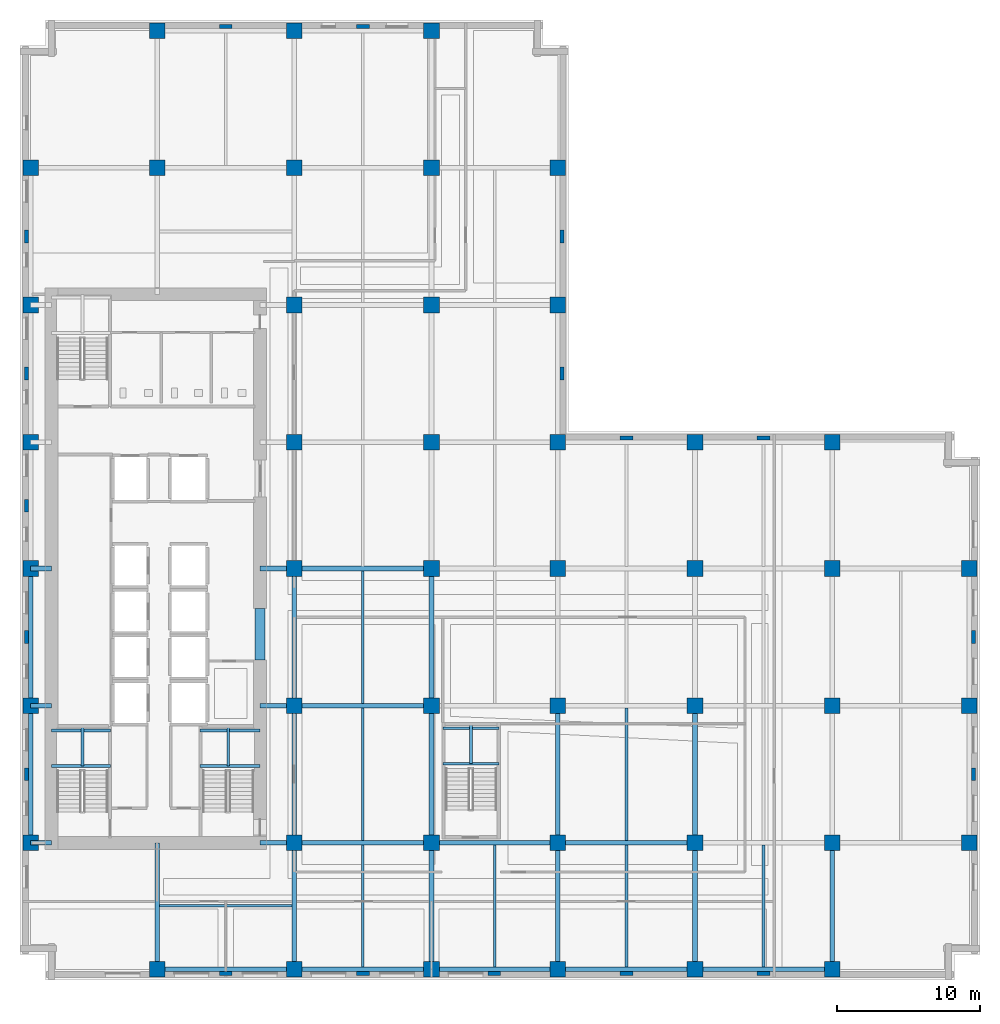
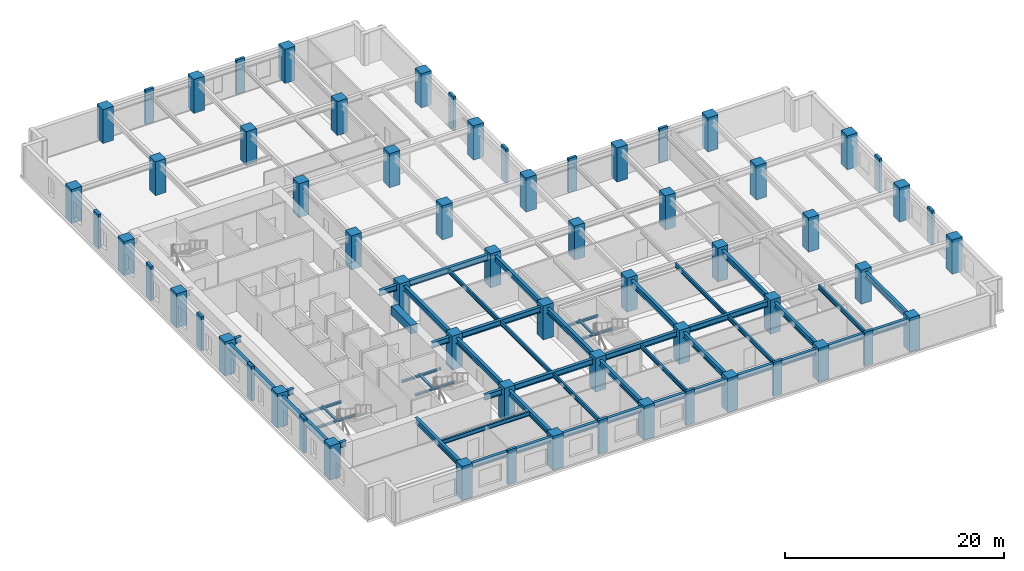
# One storey, part 1 of 15: 63 columns, 48 beams.
"""IFC4 building model written with IfcOpenShell, lengths in metres."""

import ifcopenshell
import ifcopenshell.guid

model = None  # the IFC model being written
_history = None  # IfcOwnerHistory: only IFC2X3 demands one
_inside = {}  # id of a spatial element -> (the spatial element, [elements in it])
_under = {}  # id of a project, library or spatial element -> (it, [spatial elements below it])
_declared = {}  # id of a project -> (the project, [libraries it declares])
_typed = {}  # id of a type object -> (the type object, [elements of that type])
_made_of = {}  # id of a material, layer set ... -> (it, [elements and type objects made of it])


def new_model(schema):
    """Start an empty IFC model of exactly this schema.

    Asked for "IFC4X3", IfcOpenShell would pick the latest addendum, in which some entities
    have other attributes; the version numbers below select the first issue.
    IFC2X3 requires an IfcOwnerHistory on every rooted entity: one is made here for all.
    """
    global model, _history
    if schema == "IFC4X3":
        model = ifcopenshell.file(schema_version=(4, 3, 0, 0))
    else:
        model = ifcopenshell.file(schema=schema)
    _inside.clear()
    _under.clear()
    _declared.clear()
    _typed.clear()
    _made_of.clear()
    _history = None
    if model.schema == "IFC2X3":
        org = make("IfcOrganization", Name="unknown")
        user = make(
            "IfcPersonAndOrganization",
            ThePerson=make("IfcPerson", FamilyName="unknown"),
            TheOrganization=org,
        )
        app = make(
            "IfcApplication",
            ApplicationDeveloper=org,
            Version="unknown",
            ApplicationFullName="unknown",
            ApplicationIdentifier="unknown",
        )
        _history = make(
            "IfcOwnerHistory",
            OwningUser=user,
            OwningApplication=app,
            ChangeAction="ADDED",
            CreationDate=0,
        )
    return model


def make(cls, **values):
    """One entity of the class cls with the attributes given. An attribute that is None is left unset."""
    return model.create_entity(
        cls, **{name: value for name, value in values.items() if value is not None}
    )


def rooted(cls, **values):
    """An entity with a GlobalId (a new one), such as an element, a storey or a relation."""
    return make(cls, GlobalId=ifcopenshell.guid.new(), OwnerHistory=_history, **values)


def si_unit(unit_type, name, prefix=None):
    """IfcSIUnit, for example si_unit("LENGTHUNIT", "METRE", prefix="MILLI")."""
    return make("IfcSIUnit", UnitType=unit_type, Prefix=prefix, Name=name)


def assignment(units):
    """IfcUnitAssignment: the units of a project."""
    return None if units is None else make("IfcUnitAssignment", Units=units)


def point(xyz):
    """IfcCartesianPoint."""
    return None if xyz is None else make("IfcCartesianPoint", Coordinates=xyz)


def direction(xyz):
    """IfcDirection."""
    return None if xyz is None else make("IfcDirection", DirectionRatios=xyz)


def frame(location, z_axis=None, x_axis=None):
    """IfcAxis2Placement3D, a coordinate frame: its origin and axes. An axis left out is left unset."""
    return make(
        "IfcAxis2Placement3D",
        Location=point(location),
        Axis=direction(z_axis),
        RefDirection=direction(x_axis),
    )


def frame_2d(location, x_axis=None):
    """IfcAxis2Placement2D, a coordinate frame in the plane: its origin and x axis."""
    return make(
        "IfcAxis2Placement2D", Location=point(location), RefDirection=direction(x_axis)
    )


def origin():
    """The frame at (0, 0, 0) with its axes left unset."""
    return frame((0.0, 0.0, 0.0))


def origin_2d():
    """The frame at (0, 0) in the plane with its x axis left unset."""
    return frame_2d((0.0, 0.0))


def place(relative_to, where):
    """IfcLocalPlacement: puts the frame where relative to a parent placement (None: the world)."""
    return make(
        "IfcLocalPlacement", PlacementRelTo=relative_to, RelativePlacement=where
    )


def context(
    kind, dimensions, precision=None, world=None, true_north=None, identifier=None
):
    """IfcGeometricRepresentationContext, for example the 3D "Model" context."""
    return make(
        "IfcGeometricRepresentationContext",
        ContextIdentifier=identifier,
        ContextType=kind,
        CoordinateSpaceDimension=dimensions,
        Precision=precision,
        WorldCoordinateSystem=world,
        TrueNorth=true_north,
    )


def subcontext(parent, identifier, kind, view, scale=None):
    """IfcGeometricRepresentationSubContext, for example "Body" below "Model"."""
    return make(
        "IfcGeometricRepresentationSubContext",
        ContextIdentifier=identifier,
        ContextType=kind,
        ParentContext=parent,
        TargetScale=scale,
        TargetView=view,
    )


def project(units=None, contexts=None):
    """IfcProject with its units and contexts."""
    return rooted(
        "IfcProject",
        Name="project",
        RepresentationContexts=contexts,
        UnitsInContext=assignment(units),
    )


def spatial(cls, under=None, at=None, **own):
    """A site, building, storey or space (cls), placed at a placement, below another one or the project."""
    s = rooted(cls, ObjectPlacement=at, **own)
    if under is not None:
        _under.setdefault(under.id(), (under, []))[1].append(s)
    return s


def profile(cls, at=None, kind="AREA", **sizes):
    """A parametric profile (cls). Its sizes go by their IFC names, for example OverallWidth=200.0."""
    return make(cls, ProfileType=kind, Position=at, **sizes)


def rectangle(**sizes):
    """IfcRectangleProfileDef."""
    return profile("IfcRectangleProfileDef", **sizes)


def i_section(**sizes):
    """IfcIShapeProfileDef."""
    return profile("IfcIShapeProfileDef", **sizes)


def extrude(swept, where, along, depth):
    """IfcExtrudedAreaSolid: the profile swept, set in the frame where, extruded along a direction by depth."""
    return make(
        "IfcExtrudedAreaSolid",
        SweptArea=swept,
        Position=where,
        ExtrudedDirection=direction(along),
        Depth=depth,
    )


def shape(context_of_items, identifier, shape_type, items):
    """IfcShapeRepresentation: the items that make up one representation, for example the "Body"."""
    return make(
        "IfcShapeRepresentation",
        ContextOfItems=context_of_items,
        RepresentationIdentifier=identifier,
        RepresentationType=shape_type,
        Items=items,
    )


def material(Name=None, Category=None):
    """IfcMaterial."""
    return make("IfcMaterial", Name=Name, Category=Category)


def material_profile(
    of_material, cross_section, Name=None, Category=None, Priority=None
):
    """IfcMaterialProfile: a cross section and its material."""
    return make(
        "IfcMaterialProfile",
        Name=Name,
        Material=of_material,
        Profile=cross_section,
        Priority=Priority,
        Category=Category,
    )


def profile_set(profiles, Name=None, composite=None):
    """IfcMaterialProfileSet."""
    return make(
        "IfcMaterialProfileSet",
        Name=Name,
        MaterialProfiles=profiles,
        CompositeProfile=composite,
    )


def made_of(thing, what):
    """Note that an element or type object is made of a material, layer set ...; save() writes the relation."""
    if what is not None:
        _made_of.setdefault(what.id(), (what, []))[1].append(thing)
    return thing


def type_object(cls, material=None, **own):
    """A type object (cls), such as IfcWallType, which elements share."""
    return made_of(rooted(cls, **own), material)


def element(
    cls,
    number,
    at=None,
    inside=None,
    cuts=None,
    type_object=None,
    material=None,
    context=None,
    identifier="Body",
    shape_type=None,
    held_by="IfcProductDefinitionShape",
    body=None,
    shapes=None,
    **own,
):
    """One element of the class cls, such as IfcWall. Its Tag is "e" and its number.

    at: its placement. inside: the storey or other place that contains it. cuts: it is an
    opening in that element (IfcRelVoidsElement). A single representation is given by context,
    identifier, shape_type and body (its items); several are given by shapes. held_by: the class
    of the entity that holds the representations. save() writes the other relations.
    """
    e = rooted(cls, Tag="e%d" % number, ObjectPlacement=at, **own)
    if body is not None:
        shapes = [shape(context, identifier, shape_type, body)]
    if shapes is not None:
        e.Representation = make(held_by, Representations=shapes)
    if inside is not None:
        _inside.setdefault(inside.id(), (inside, []))[1].append(e)
    if cuts is not None:
        rooted(
            "IfcRelVoidsElement", RelatingBuildingElement=cuts, RelatedOpeningElement=e
        )
    if type_object is not None:
        _typed.setdefault(type_object.id(), (type_object, []))[1].append(e)
    return made_of(e, material)


def aggregate(whole, parts):
    """IfcRelAggregates: a whole, such as a stair, and the parts it consists of."""
    return rooted("IfcRelAggregates", RelatingObject=whole, RelatedObjects=parts)


def save(model, path):
    """Write the relations noted so far, then the file.

    IfcRelAggregates (storeys below a building ...), IfcRelContainedInSpatialStructure (elements
    in a storey), IfcRelDefinesByType, IfcRelAssociatesMaterial and IfcRelDeclares: one each for
    every whole, place, type object, material and project.
    """
    for whole, parts in _under.values():
        aggregate(whole, parts)
    for where, things in _inside.values():
        rooted(
            "IfcRelContainedInSpatialStructure",
            RelatedElements=things,
            RelatingStructure=where,
        )
    for kind, things in _typed.values():
        rooted("IfcRelDefinesByType", RelatedObjects=things, RelatingType=kind)
    for what, things in _made_of.values():
        rooted("IfcRelAssociatesMaterial", RelatedObjects=things, RelatingMaterial=what)
    for by, libraries in _declared.values():
        rooted("IfcRelDeclares", RelatingContext=by, RelatedDefinitions=libraries)
    model.write(path)


model = new_model("IFC4")

# Units and contexts
model_context = context("Model", 3, precision=1e-05, world=origin(), true_north=direction((0.0, 1.0)))
body_context = subcontext(model_context, "Body", "Model", "MODEL_VIEW")
ifc_project = project(units=[si_unit("LENGTHUNIT", "METRE"), si_unit("AREAUNIT", "SQUARE_METRE"), si_unit("VOLUMEUNIT", "CUBIC_METRE"), si_unit("PLANEANGLEUNIT", "RADIAN"), si_unit("MASSUNIT", "GRAM", prefix="KILO")], contexts=[model_context])

# Site, building, storey
site_placement = place(None, origin())
site = spatial("IfcSite", under=ifc_project, at=site_placement, CompositionType="ELEMENT")
building_placement = place(site_placement, origin())
building = spatial("IfcBuilding", under=site, at=building_placement, Name="Norrvale University Quadrangle", CompositionType="ELEMENT")
storey_placement = place(building_placement, frame((0.0, 0.0, 92.60009765625)))
storey = spatial("IfcBuildingStorey", under=building, at=storey_placement, Name="L23", CompositionType="ELEMENT", Elevation=92.60009765625)

# Columns
ifc_material_1 = material(Name="Buff Brick Concrete C60/75", Category="concrete")
ifc_material_profile_1 = material_profile(ifc_material_1, rectangle(XDim=0.89990234375, YDim=0.280029296875, at=origin_2d()), Name="Buff Brick Concrete C60/75")
ifc_profile_set_1 = profile_set([ifc_material_profile_1], Name="Buff Brick Concrete C60/75")
column_type_1 = type_object("IfcColumnType", Name="Column Buff Pier 900x280", PredefinedType="PILASTER", material=ifc_profile_set_1)
for number, where, z_axis, x_axis, name in (
    (1, (0.449951171875, 14.39990234375, 0.0), (0.0, 0.0, 1.0), (0.0, 1.0, 0.0), "Exterior Brick Facade Pilaster L23-01"),
    (2, (0.449951171875, 24.0, 0.0), (0.0, 0.0, 1.0), (0.0, 1.0, 0.0), "Exterior Brick Facade Pilaster L23-02"),
    (3, (0.449951171875, 33.199951171875, 0.0), (0.0, 0.0, 1.0), (0.0, 1.0, 0.0), "Exterior Brick Facade Pilaster L23-03"),
    (4, (0.449951171875, 42.449951171875, 0.0), (0.0, 0.0, 1.0), (0.0, 1.0, 0.0), "Exterior Brick Facade Pilaster L23-04"),
    (5, (0.449951171875, 52.050048828125, 0.0), (0.0, 0.0, 1.0), (0.0, 1.0, 0.0), "Exterior Brick Facade Pilaster L23-05"),
    (6, (14.39990234375, 0.449951171875, 0.0), (0.0, 0.0, 1.0), (1.0, 0.0, 0.0), "Exterior Brick Facade Pilaster L23-06"),
    (7, (24.0, 0.449951171875, 0.0), (0.0, 0.0, 1.0), (1.0, 0.0, 0.0), "Exterior Brick Facade Pilaster L23-07"),
    (8, (33.199951171875, 0.449951171875, 0.0), (0.0, 0.0, 1.0), (1.0, 0.0, 0.0), "Exterior Brick Facade Pilaster L23-08"),
    (9, (42.449951171875, 0.449951171875, 0.0), (0.0, 0.0, 1.0), (1.0, 0.0, 0.0), "Exterior Brick Facade Pilaster L23-09"),
    (10, (52.050048828125, 0.449951171875, 0.0), (0.0, 0.0, 1.0), (1.0, 0.0, 0.0), "Exterior Brick Facade Pilaster L23-10"),
    (11, (66.75, 14.39990234375, 0.0), (0.0, 0.0, 1.0), (0.0, 1.0, 0.0), "Exterior Brick Facade Pilaster L23-11"),
    (12, (66.75, 24.0, 0.0), (0.0, 0.0, 1.0), (0.0, 1.0, 0.0), "Exterior Brick Facade Pilaster L23-12"),
    (13, (14.39990234375, 66.75, 0.0), (0.0, 0.0, 1.0), (1.0, 0.0, 0.0), "Exterior Brick Facade Pilaster L23-13"),
    (14, (24.0, 66.75, 0.0), (0.0, 0.0, 1.0), (1.0, 0.0, 0.0), "Exterior Brick Facade Pilaster L23-14"),
    (15, (37.949951171875, 42.449951171875, 0.0), (0.0, 0.0, 1.0), (0.0, 1.0, 0.0), "Exterior Brick Facade Pilaster L23-15"),
    (16, (37.949951171875, 52.050048828125, 0.0), (0.0, 0.0, 1.0), (0.0, 1.0, 0.0), "Exterior Brick Facade Pilaster L23-16"),
    (17, (42.449951171875, 37.949951171875, 0.0), (0.0, 0.0, 1.0), (1.0, 0.0, 0.0), "Exterior Brick Facade Pilaster L23-17"),
    (18, (52.050048828125, 37.949951171875, 0.0), (0.0, 0.0, 1.0), (1.0, 0.0, 0.0), "Exterior Brick Facade Pilaster L23-18"),
):
    element("IfcColumn", number, at=place(storey_placement, frame(where, z_axis=z_axis, x_axis=x_axis)), inside=storey, type_object=column_type_1, Name=name, PredefinedType="PILASTER", context=body_context, shape_type="SweptSolid", body=[
        extrude(rectangle(XDim=0.89990234375, YDim=0.280029296875, at=origin_2d()), origin(), (0.0, 0.0, 1.0), 3.7998046875),
    ])
ifc_material_2 = material(Name="Concrete C80/95", Category="concrete")
ifc_material_profile_2 = material_profile(ifc_material_2, rectangle(XDim=1.10009765625, YDim=1.10009765625, at=origin_2d()), Name="Concrete C80/95")
ifc_profile_set_2 = profile_set([ifc_material_profile_2], Name="Concrete C80/95")
column_type_2 = type_object("IfcColumnType", Name="Column Tower Z1 1100x1100", PredefinedType="COLUMN", material=ifc_profile_set_2)
for number, where, z_axis, x_axis, name in (
    (19, (0.75, 9.60009765625, 0.0), (0.0, 0.0, 1.0), (1.0, 0.0, 0.0), "Tower Column L23-T01"),
    (20, (0.75, 19.199951171875, 0.0), (0.0, 0.0, 1.0), (1.0, 0.0, 0.0), "Tower Column L23-T02"),
    (21, (0.75, 28.800048828125, 0.0), (0.0, 0.0, 1.0), (1.0, 0.0, 0.0), "Tower Column L23-T03"),
    (22, (0.75, 37.64990234375, 0.0), (0.0, 0.0, 1.0), (1.0, 0.0, 0.0), "Tower Column L23-T04"),
    (23, (0.75, 47.25, 0.0), (0.0, 0.0, 1.0), (1.0, 0.0, 0.0), "Tower Column L23-T05"),
    (24, (0.75, 56.85009765625, 0.0), (0.0, 0.0, 1.0), (1.0, 0.0, 0.0), "Tower Column L23-T06"),
    (25, (9.60009765625, 0.75, 0.0), (0.0, 0.0, 1.0), (1.0, 0.0, 0.0), "Tower Column L23-T07"),
    (26, (9.60009765625, 56.85009765625, 0.0), (0.0, 0.0, 1.0), (1.0, 0.0, 0.0), "Tower Column L23-T08"),
    (27, (9.60009765625, 66.449951171875, 0.0), (0.0, 0.0, 1.0), (1.0, 0.0, 0.0), "Tower Column L23-T09"),
    (28, (19.199951171875, 0.75, 0.0), (0.0, 0.0, 1.0), (1.0, 0.0, 0.0), "Tower Column L23-T10"),
    (29, (19.199951171875, 9.60009765625, 0.0), (0.0, 0.0, 1.0), (1.0, 0.0, 0.0), "Tower Column L23-T11"),
    (30, (19.199951171875, 19.199951171875, 0.0), (0.0, 0.0, 1.0), (1.0, 0.0, 0.0), "Tower Column L23-T12"),
    (31, (19.199951171875, 28.800048828125, 0.0), (0.0, 0.0, 1.0), (1.0, 0.0, 0.0), "Tower Column L23-T13"),
    (32, (19.199951171875, 37.64990234375, 0.0), (0.0, 0.0, 1.0), (1.0, 0.0, 0.0), "Tower Column L23-T14"),
    (33, (19.199951171875, 47.25, 0.0), (0.0, 0.0, 1.0), (1.0, 0.0, 0.0), "Tower Column L23-T15"),
    (34, (19.199951171875, 56.85009765625, 0.0), (0.0, 0.0, 1.0), (1.0, 0.0, 0.0), "Tower Column L23-T16"),
    (35, (19.199951171875, 66.449951171875, 0.0), (0.0, 0.0, 1.0), (1.0, 0.0, 0.0), "Tower Column L23-T17"),
    (36, (28.800048828125, 0.75, 0.0), (0.0, 0.0, 1.0), (1.0, 0.0, 0.0), "Tower Column L23-T18"),
    (37, (28.800048828125, 9.60009765625, 0.0), (0.0, 0.0, 1.0), (1.0, 0.0, 0.0), "Tower Column L23-T19"),
    (38, (28.800048828125, 19.199951171875, 0.0), (0.0, 0.0, 1.0), (1.0, 0.0, 0.0), "Tower Column L23-T20"),
    (39, (28.800048828125, 28.800048828125, 0.0), (0.0, 0.0, 1.0), (1.0, 0.0, 0.0), "Tower Column L23-T21"),
    (40, (28.800048828125, 37.64990234375, 0.0), (0.0, 0.0, 1.0), (1.0, 0.0, 0.0), "Tower Column L23-T22"),
    (41, (28.800048828125, 47.25, 0.0), (0.0, 0.0, 1.0), (1.0, 0.0, 0.0), "Tower Column L23-T23"),
    (42, (28.800048828125, 56.85009765625, 0.0), (0.0, 0.0, 1.0), (1.0, 0.0, 0.0), "Tower Column L23-T24"),
    (43, (28.800048828125, 66.449951171875, 0.0), (0.0, 0.0, 1.0), (1.0, 0.0, 0.0), "Tower Column L23-T25"),
    (44, (37.64990234375, 0.75, 0.0), (0.0, 0.0, 1.0), (1.0, 0.0, 0.0), "Tower Column L23-T26"),
    (45, (37.64990234375, 9.60009765625, 0.0), (0.0, 0.0, 1.0), (1.0, 0.0, 0.0), "Tower Column L23-T27"),
    (46, (37.64990234375, 19.199951171875, 0.0), (0.0, 0.0, 1.0), (1.0, 0.0, 0.0), "Tower Column L23-T28"),
    (47, (37.64990234375, 28.800048828125, 0.0), (0.0, 0.0, 1.0), (1.0, 0.0, 0.0), "Tower Column L23-T29"),
    (48, (37.64990234375, 37.64990234375, 0.0), (0.0, 0.0, 1.0), (1.0, 0.0, 0.0), "Tower Column L23-T30"),
    (49, (37.64990234375, 47.25, 0.0), (0.0, 0.0, 1.0), (1.0, 0.0, 0.0), "Tower Column L23-T31"),
    (50, (37.64990234375, 56.85009765625, 0.0), (0.0, 0.0, 1.0), (1.0, 0.0, 0.0), "Tower Column L23-T32"),
    (51, (47.25, 0.75, 0.0), (0.0, 0.0, 1.0), (1.0, 0.0, 0.0), "Tower Column L23-T33"),
    (52, (47.25, 9.60009765625, 0.0), (0.0, 0.0, 1.0), (1.0, 0.0, 0.0), "Tower Column L23-T34"),
    (53, (47.25, 19.199951171875, 0.0), (0.0, 0.0, 1.0), (1.0, 0.0, 0.0), "Tower Column L23-T35"),
    (54, (47.25, 28.800048828125, 0.0), (0.0, 0.0, 1.0), (1.0, 0.0, 0.0), "Tower Column L23-T36"),
    (55, (47.25, 37.64990234375, 0.0), (0.0, 0.0, 1.0), (1.0, 0.0, 0.0), "Tower Column L23-T37"),
    (56, (56.85009765625, 0.75, 0.0), (0.0, 0.0, 1.0), (1.0, 0.0, 0.0), "Tower Column L23-T38"),
    (57, (56.85009765625, 9.60009765625, 0.0), (0.0, 0.0, 1.0), (1.0, 0.0, 0.0), "Tower Column L23-T39"),
    (58, (56.85009765625, 19.199951171875, 0.0), (0.0, 0.0, 1.0), (1.0, 0.0, 0.0), "Tower Column L23-T40"),
    (59, (56.85009765625, 28.800048828125, 0.0), (0.0, 0.0, 1.0), (1.0, 0.0, 0.0), "Tower Column L23-T41"),
    (60, (56.85009765625, 37.64990234375, 0.0), (0.0, 0.0, 1.0), (1.0, 0.0, 0.0), "Tower Column L23-T42"),
    (61, (66.449951171875, 9.60009765625, 0.0), (0.0, 0.0, 1.0), (1.0, 0.0, 0.0), "Tower Column L23-T43"),
    (62, (66.449951171875, 19.199951171875, 0.0), (0.0, 0.0, 1.0), (1.0, 0.0, 0.0), "Tower Column L23-T44"),
    (63, (66.449951171875, 28.800048828125, 0.0), (0.0, 0.0, 1.0), (1.0, 0.0, 0.0), "Tower Column L23-T45"),
):
    element("IfcColumn", number, at=place(storey_placement, frame(where, z_axis=z_axis, x_axis=x_axis)), inside=storey, type_object=column_type_2, Name=name, PredefinedType="COLUMN", context=body_context, shape_type="SweptSolid", body=[
        extrude(rectangle(XDim=1.10009765625, YDim=1.10009765625, at=origin_2d()), origin(), (0.0, 0.0, 1.0), 3.7998046875),
    ])

# Beams
ifc_material_3 = material(Name="Steel 350W", Category="steel")
ifc_material_profile_3 = material_profile(ifc_material_3, i_section(OverallWidth=0.324951171875, OverallDepth=0.615966796875, WebThickness=0.013916015625, FlangeThickness=0.021484375, FilletRadius=0.01611328125, at=origin_2d()), Name="Steel 350W")
ifc_profile_set_3 = profile_set([ifc_material_profile_3], Name="Steel 350W")
beam_type_1 = type_object("IfcBeamType", Name="Beam Belt W610x174", PredefinedType="BEAM", material=ifc_profile_set_3)
beam_1_placement = place(storey_placement, frame((9.60009765625, 0.75, 3.171875), z_axis=(1.0, 0.0, 0.0), x_axis=(0.0, 1.0, 0.0)))
element("IfcBeam", 64, at=beam_1_placement, inside=storey, type_object=beam_type_1, Name="Beam Belt W610x174 BM-L23-GX001", PredefinedType="BEAM", context=body_context, shape_type="SweptSolid", body=[
    extrude(i_section(OverallWidth=0.324951171875, OverallDepth=0.615966796875, WebThickness=0.013916015625, FlangeThickness=0.021484375, FilletRadius=0.01611328125, at=origin_2d()), origin(), (0.0, 0.0, 1.0), 9.599853515625),
])
beam_2_placement = place(storey_placement, frame((19.199951171875, 0.75, 3.171875), z_axis=(1.0, 0.0, 0.0), x_axis=(0.0, 1.0, 0.0)))
element("IfcBeam", 65, at=beam_2_placement, inside=storey, type_object=beam_type_1, Name="Beam Belt W610x174 BM-L23-GX002", PredefinedType="BEAM", context=body_context, shape_type="SweptSolid", body=[
    extrude(i_section(OverallWidth=0.324951171875, OverallDepth=0.615966796875, WebThickness=0.013916015625, FlangeThickness=0.021484375, FilletRadius=0.01611328125, at=origin_2d()), origin(), (0.0, 0.0, 1.0), 9.60009765625),
])
beam_3_placement = place(storey_placement, frame((28.800048828125, 0.75, 3.171875), z_axis=(1.0, 0.0, 0.0), x_axis=(0.0, 1.0, 0.0)))
element("IfcBeam", 66, at=beam_3_placement, inside=storey, type_object=beam_type_1, Name="Beam Belt W610x174 BM-L23-GX003", PredefinedType="BEAM", context=body_context, shape_type="SweptSolid", body=[
    extrude(i_section(OverallWidth=0.324951171875, OverallDepth=0.615966796875, WebThickness=0.013916015625, FlangeThickness=0.021484375, FilletRadius=0.01611328125, at=origin_2d()), origin(), (0.0, 0.0, 1.0), 8.849853515625),
])
for number, where, z_axis, x_axis, name in (
    (67, (37.64990234375, 0.75, 3.171875), (1.0, 0.0, 0.0), (0.0, 1.0, 0.0), "Beam Belt W610x174 BM-L23-GX004"),
    (68, (47.25, 0.75, 3.171875), (1.0, 0.0, 0.0), (0.0, 1.0, 0.0), "Beam Belt W610x174 BM-L23-GX005"),
    (69, (19.199951171875, 9.60009765625, 3.171875), (1.0, 0.0, 0.0), (0.0, 1.0, 0.0), "Beam Belt W610x174 BM-L23-GX006"),
):
    element("IfcBeam", number, at=place(storey_placement, frame(where, z_axis=z_axis, x_axis=x_axis)), inside=storey, type_object=beam_type_1, Name=name, PredefinedType="BEAM", context=body_context, shape_type="SweptSolid", body=[
        extrude(i_section(OverallWidth=0.324951171875, OverallDepth=0.615966796875, WebThickness=0.013916015625, FlangeThickness=0.021484375, FilletRadius=0.01611328125, at=origin_2d()), origin(), (0.0, 0.0, 1.0), 9.60009765625),
    ])
beam_4_placement = place(storey_placement, frame((28.800048828125, 9.60009765625, 3.171875), z_axis=(1.0, 0.0, 0.0), x_axis=(0.0, 1.0, 0.0)))
element("IfcBeam", 70, at=beam_4_placement, inside=storey, type_object=beam_type_1, Name="Beam Belt W610x174 BM-L23-GX007", PredefinedType="BEAM", context=body_context, shape_type="SweptSolid", body=[
    extrude(i_section(OverallWidth=0.324951171875, OverallDepth=0.615966796875, WebThickness=0.013916015625, FlangeThickness=0.021484375, FilletRadius=0.01611328125, at=origin_2d()), origin(), (0.0, 0.0, 1.0), 8.849853515625),
])
for number, where, z_axis, x_axis, name in (
    (71, (37.64990234375, 9.60009765625, 3.171875), (1.0, 0.0, 0.0), (0.0, 1.0, 0.0), "Beam Belt W610x174 BM-L23-GX008"),
    (72, (19.199951171875, 19.199951171875, 3.171875), (1.0, 0.0, 0.0), (0.0, 1.0, 0.0), "Beam Belt W610x174 BM-L23-GX011"),
    (73, (19.199951171875, 28.800048828125, 3.171875), (1.0, 0.0, 0.0), (0.0, 1.0, 0.0), "Beam Belt W610x174 BM-L23-GX016"),
):
    element("IfcBeam", number, at=place(storey_placement, frame(where, z_axis=z_axis, x_axis=x_axis)), inside=storey, type_object=beam_type_1, Name=name, PredefinedType="BEAM", context=body_context, shape_type="SweptSolid", body=[
        extrude(i_section(OverallWidth=0.324951171875, OverallDepth=0.615966796875, WebThickness=0.013916015625, FlangeThickness=0.021484375, FilletRadius=0.01611328125, at=origin_2d()), origin(), (0.0, 0.0, 1.0), 9.60009765625),
    ])
beam_5_placement = place(storey_placement, frame((0.75, 9.60009765625, 3.171875), z_axis=(0.0, 1.0, 0.0), x_axis=(-1.0, 0.0, 0.0)))
element("IfcBeam", 74, at=beam_5_placement, inside=storey, type_object=beam_type_1, Name="Beam Belt W610x174 BM-L23-GY033", PredefinedType="BEAM", context=body_context, shape_type="SweptSolid", body=[
    extrude(i_section(OverallWidth=0.324951171875, OverallDepth=0.615966796875, WebThickness=0.013916015625, FlangeThickness=0.021484375, FilletRadius=0.01611328125, at=origin_2d()), origin(), (0.0, 0.0, 1.0), 9.599853515625),
])
beam_6_placement = place(storey_placement, frame((0.75, 19.199951171875, 3.171875), z_axis=(0.0, 1.0, 0.0), x_axis=(-1.0, 0.0, 0.0)))
element("IfcBeam", 75, at=beam_6_placement, inside=storey, type_object=beam_type_1, Name="Beam Belt W610x174 BM-L23-GY034", PredefinedType="BEAM", context=body_context, shape_type="SweptSolid", body=[
    extrude(i_section(OverallWidth=0.324951171875, OverallDepth=0.615966796875, WebThickness=0.013916015625, FlangeThickness=0.021484375, FilletRadius=0.01611328125, at=origin_2d()), origin(), (0.0, 0.0, 1.0), 9.60009765625),
])
beam_7_placement = place(storey_placement, frame((19.199951171875, 0.75, 3.171875), z_axis=(0.0, 1.0, 0.0), x_axis=(-1.0, 0.0, 0.0)))
element("IfcBeam", 76, at=beam_7_placement, inside=storey, type_object=beam_type_1, Name="Beam Belt W610x174 BM-L23-GY039", PredefinedType="BEAM", context=body_context, shape_type="SweptSolid", body=[
    extrude(i_section(OverallWidth=0.324951171875, OverallDepth=0.615966796875, WebThickness=0.013916015625, FlangeThickness=0.021484375, FilletRadius=0.01611328125, at=origin_2d()), origin(), (0.0, 0.0, 1.0), 8.85009765625),
])
beam_8_placement = place(storey_placement, frame((19.199951171875, 9.60009765625, 3.171875), z_axis=(0.0, 1.0, 0.0), x_axis=(-1.0, 0.0, 0.0)))
element("IfcBeam", 77, at=beam_8_placement, inside=storey, type_object=beam_type_1, Name="Beam Belt W610x174 BM-L23-GY040", PredefinedType="BEAM", context=body_context, shape_type="SweptSolid", body=[
    extrude(i_section(OverallWidth=0.324951171875, OverallDepth=0.615966796875, WebThickness=0.013916015625, FlangeThickness=0.021484375, FilletRadius=0.01611328125, at=origin_2d()), origin(), (0.0, 0.0, 1.0), 9.599853515625),
])
beam_9_placement = place(storey_placement, frame((19.199951171875, 19.199951171875, 3.171875), z_axis=(0.0, 1.0, 0.0), x_axis=(-1.0, 0.0, 0.0)))
element("IfcBeam", 78, at=beam_9_placement, inside=storey, type_object=beam_type_1, Name="Beam Belt W610x174 BM-L23-GY041", PredefinedType="BEAM", context=body_context, shape_type="SweptSolid", body=[
    extrude(i_section(OverallWidth=0.324951171875, OverallDepth=0.615966796875, WebThickness=0.013916015625, FlangeThickness=0.021484375, FilletRadius=0.01611328125, at=origin_2d()), origin(), (0.0, 0.0, 1.0), 9.60009765625),
])
beam_10_placement = place(storey_placement, frame((28.800048828125, 0.75, 3.171875), z_axis=(0.0, 1.0, 0.0), x_axis=(-1.0, 0.0, 0.0)))
element("IfcBeam", 79, at=beam_10_placement, inside=storey, type_object=beam_type_1, Name="Beam Belt W610x174 BM-L23-GY046", PredefinedType="BEAM", context=body_context, shape_type="SweptSolid", body=[
    extrude(i_section(OverallWidth=0.324951171875, OverallDepth=0.615966796875, WebThickness=0.013916015625, FlangeThickness=0.021484375, FilletRadius=0.01611328125, at=origin_2d()), origin(), (0.0, 0.0, 1.0), 8.85009765625),
])
beam_11_placement = place(storey_placement, frame((28.800048828125, 9.60009765625, 3.171875), z_axis=(0.0, 1.0, 0.0), x_axis=(-1.0, 0.0, 0.0)))
element("IfcBeam", 80, at=beam_11_placement, inside=storey, type_object=beam_type_1, Name="Beam Belt W610x174 BM-L23-GY047", PredefinedType="BEAM", context=body_context, shape_type="SweptSolid", body=[
    extrude(i_section(OverallWidth=0.324951171875, OverallDepth=0.615966796875, WebThickness=0.013916015625, FlangeThickness=0.021484375, FilletRadius=0.01611328125, at=origin_2d()), origin(), (0.0, 0.0, 1.0), 9.599853515625),
])
beam_12_placement = place(storey_placement, frame((28.800048828125, 19.199951171875, 3.171875), z_axis=(0.0, 1.0, 0.0), x_axis=(-1.0, 0.0, 0.0)))
element("IfcBeam", 81, at=beam_12_placement, inside=storey, type_object=beam_type_1, Name="Beam Belt W610x174 BM-L23-GY048", PredefinedType="BEAM", context=body_context, shape_type="SweptSolid", body=[
    extrude(i_section(OverallWidth=0.324951171875, OverallDepth=0.615966796875, WebThickness=0.013916015625, FlangeThickness=0.021484375, FilletRadius=0.01611328125, at=origin_2d()), origin(), (0.0, 0.0, 1.0), 9.60009765625),
])
beam_13_placement = place(storey_placement, frame((37.64990234375, 0.75, 3.171875), z_axis=(0.0, 1.0, 0.0), x_axis=(-1.0, 0.0, 0.0)))
element("IfcBeam", 82, at=beam_13_placement, inside=storey, type_object=beam_type_1, Name="Beam Belt W610x174 BM-L23-GY053", PredefinedType="BEAM", context=body_context, shape_type="SweptSolid", body=[
    extrude(i_section(OverallWidth=0.324951171875, OverallDepth=0.615966796875, WebThickness=0.013916015625, FlangeThickness=0.021484375, FilletRadius=0.01611328125, at=origin_2d()), origin(), (0.0, 0.0, 1.0), 8.85009765625),
])
beam_14_placement = place(storey_placement, frame((37.64990234375, 9.60009765625, 3.171875), z_axis=(0.0, 1.0, 0.0), x_axis=(-1.0, 0.0, 0.0)))
element("IfcBeam", 83, at=beam_14_placement, inside=storey, type_object=beam_type_1, Name="Beam Belt W610x174 BM-L23-GY054", PredefinedType="BEAM", context=body_context, shape_type="SweptSolid", body=[
    extrude(i_section(OverallWidth=0.324951171875, OverallDepth=0.615966796875, WebThickness=0.013916015625, FlangeThickness=0.021484375, FilletRadius=0.01611328125, at=origin_2d()), origin(), (0.0, 0.0, 1.0), 9.599853515625),
])
beam_15_placement = place(storey_placement, frame((47.25, 0.75, 3.171875), z_axis=(0.0, 1.0, 0.0), x_axis=(-1.0, 0.0, 0.0)))
element("IfcBeam", 84, at=beam_15_placement, inside=storey, type_object=beam_type_1, Name="Beam Belt W610x174 BM-L23-GY059", PredefinedType="BEAM", context=body_context, shape_type="SweptSolid", body=[
    extrude(i_section(OverallWidth=0.324951171875, OverallDepth=0.615966796875, WebThickness=0.013916015625, FlangeThickness=0.021484375, FilletRadius=0.01611328125, at=origin_2d()), origin(), (0.0, 0.0, 1.0), 8.85009765625),
])
beam_16_placement = place(storey_placement, frame((47.25, 9.60009765625, 3.171875), z_axis=(0.0, 1.0, 0.0), x_axis=(-1.0, 0.0, 0.0)))
element("IfcBeam", 85, at=beam_16_placement, inside=storey, type_object=beam_type_1, Name="Beam Belt W610x174 BM-L23-GY060", PredefinedType="BEAM", context=body_context, shape_type="SweptSolid", body=[
    extrude(i_section(OverallWidth=0.324951171875, OverallDepth=0.615966796875, WebThickness=0.013916015625, FlangeThickness=0.021484375, FilletRadius=0.01611328125, at=origin_2d()), origin(), (0.0, 0.0, 1.0), 9.599853515625),
])
beam_17_placement = place(storey_placement, frame((56.85009765625, 0.75, 3.171875), z_axis=(0.0, 1.0, 0.0), x_axis=(-1.0, 0.0, 0.0)))
element("IfcBeam", 86, at=beam_17_placement, inside=storey, type_object=beam_type_1, Name="Beam Belt W610x174 BM-L23-GY063", PredefinedType="BEAM", context=body_context, shape_type="SweptSolid", body=[
    extrude(i_section(OverallWidth=0.324951171875, OverallDepth=0.615966796875, WebThickness=0.013916015625, FlangeThickness=0.021484375, FilletRadius=0.01611328125, at=origin_2d()), origin(), (0.0, 0.0, 1.0), 8.85009765625),
])
beam_18_placement = place(storey_placement, frame((0.75, 9.60009765625, 3.171875), z_axis=(1.0, 0.0, 0.0), x_axis=(0.0, 1.0, 0.0)))
element("IfcBeam", 87, at=beam_18_placement, inside=storey, type_object=beam_type_1, Name="Beam Belt W610x174 BM-L23-GCW069", PredefinedType="BEAM", context=body_context, shape_type="SweptSolid", body=[
    extrude(i_section(OverallWidth=0.324951171875, OverallDepth=0.615966796875, WebThickness=0.013916015625, FlangeThickness=0.021484375, FilletRadius=0.01611328125, at=origin_2d()), origin(), (0.0, 0.0, 1.0), 1.449951171875),
])
beam_19_placement = place(storey_placement, frame((16.800048828125, 9.60009765625, 3.171875), z_axis=(1.0, 0.0, 0.0), x_axis=(0.0, 1.0, 0.0)))
element("IfcBeam", 88, at=beam_19_placement, inside=storey, type_object=beam_type_1, Name="Beam Belt W610x174 BM-L23-GCE070", PredefinedType="BEAM", context=body_context, shape_type="SweptSolid", body=[
    extrude(i_section(OverallWidth=0.324951171875, OverallDepth=0.615966796875, WebThickness=0.013916015625, FlangeThickness=0.021484375, FilletRadius=0.01611328125, at=origin_2d()), origin(), (0.0, 0.0, 1.0), 2.39990234375),
])
beam_20_placement = place(storey_placement, frame((0.75, 19.199951171875, 3.171875), z_axis=(1.0, 0.0, 0.0), x_axis=(0.0, 1.0, 0.0)))
element("IfcBeam", 89, at=beam_20_placement, inside=storey, type_object=beam_type_1, Name="Beam Belt W610x174 BM-L23-GCW071", PredefinedType="BEAM", context=body_context, shape_type="SweptSolid", body=[
    extrude(i_section(OverallWidth=0.324951171875, OverallDepth=0.615966796875, WebThickness=0.013916015625, FlangeThickness=0.021484375, FilletRadius=0.01611328125, at=origin_2d()), origin(), (0.0, 0.0, 1.0), 1.449951171875),
])
beam_21_placement = place(storey_placement, frame((16.800048828125, 19.199951171875, 3.171875), z_axis=(1.0, 0.0, 0.0), x_axis=(0.0, 1.0, 0.0)))
element("IfcBeam", 90, at=beam_21_placement, inside=storey, type_object=beam_type_1, Name="Beam Belt W610x174 BM-L23-GCE072", PredefinedType="BEAM", context=body_context, shape_type="SweptSolid", body=[
    extrude(i_section(OverallWidth=0.324951171875, OverallDepth=0.615966796875, WebThickness=0.013916015625, FlangeThickness=0.021484375, FilletRadius=0.01611328125, at=origin_2d()), origin(), (0.0, 0.0, 1.0), 2.39990234375),
])
beam_22_placement = place(storey_placement, frame((0.75, 28.800048828125, 3.171875), z_axis=(1.0, 0.0, 0.0), x_axis=(0.0, 1.0, 0.0)))
element("IfcBeam", 91, at=beam_22_placement, inside=storey, type_object=beam_type_1, Name="Beam Belt W610x174 BM-L23-GCW073", PredefinedType="BEAM", context=body_context, shape_type="SweptSolid", body=[
    extrude(i_section(OverallWidth=0.324951171875, OverallDepth=0.615966796875, WebThickness=0.013916015625, FlangeThickness=0.021484375, FilletRadius=0.01611328125, at=origin_2d()), origin(), (0.0, 0.0, 1.0), 1.449951171875),
])
beam_23_placement = place(storey_placement, frame((16.800048828125, 28.800048828125, 3.171875), z_axis=(1.0, 0.0, 0.0), x_axis=(0.0, 1.0, 0.0)))
element("IfcBeam", 92, at=beam_23_placement, inside=storey, type_object=beam_type_1, Name="Beam Belt W610x174 BM-L23-GCE074", PredefinedType="BEAM", context=body_context, shape_type="SweptSolid", body=[
    extrude(i_section(OverallWidth=0.324951171875, OverallDepth=0.615966796875, WebThickness=0.013916015625, FlangeThickness=0.021484375, FilletRadius=0.01611328125, at=origin_2d()), origin(), (0.0, 0.0, 1.0), 2.39990234375),
])
beam_24_placement = place(storey_placement, frame((9.60009765625, 0.75, 3.171875), z_axis=(0.0, 1.0, 0.0), x_axis=(-1.0, 0.0, 0.0)))
element("IfcBeam", 93, at=beam_24_placement, inside=storey, type_object=beam_type_1, Name="Beam Belt W610x174 BM-L23-GCS102", PredefinedType="BEAM", context=body_context, shape_type="SweptSolid", body=[
    extrude(i_section(OverallWidth=0.324951171875, OverallDepth=0.615966796875, WebThickness=0.013916015625, FlangeThickness=0.021484375, FilletRadius=0.01611328125, at=origin_2d()), origin(), (0.0, 0.0, 1.0), 8.85009765625),
])
ifc_material_profile_4 = material_profile(ifc_material_2, rectangle(XDim=0.699951171875, YDim=0.949951171875, at=origin_2d()), Name="Concrete C80/95")
ifc_profile_set_4 = profile_set([ifc_material_profile_4], Name="Concrete C80/95")
beam_type_2 = type_object("IfcBeamType", Name="Beam Core Link 700x950", PredefinedType="LINTEL", material=ifc_profile_set_4)
beam_25_placement = place(storey_placement, frame((16.800048828125, 22.39990234375, 3.0048828125), z_axis=(0.0, 1.0, 0.0), x_axis=(-1.0, 0.0, 0.0)))
element("IfcBeam", 94, at=beam_25_placement, inside=storey, type_object=beam_type_2, Name="Core Coupling Lintel Beam L23-1", PredefinedType="LINTEL", context=body_context, shape_type="SweptSolid", body=[
    extrude(rectangle(XDim=0.699951171875, YDim=0.949951171875, at=origin_2d()), origin(), (0.0, 0.0, 1.0), 3.60009765625),
])
ifc_material_profile_5 = material_profile(ifc_material_3, i_section(OverallWidth=0.194091796875, OverallDepth=0.468994140625, WebThickness=0.0126953125, FlangeThickness=0.0205078125, FilletRadius=0.012939453125, at=origin_2d()), Name="Steel 350W")
ifc_profile_set_5 = profile_set([ifc_material_profile_5], Name="Steel 350W")
beam_type_3 = type_object("IfcBeamType", Name="Beam Floor W460x106", PredefinedType="BEAM", material=ifc_profile_set_5)
beam_26_placement = place(storey_placement, frame((24.0, 0.91259765625, 3.245361328125), z_axis=(0.0, 1.0, 0.0), x_axis=(-1.0, 0.0, 0.0)))
element("IfcBeam", 95, at=beam_26_placement, inside=storey, type_object=beam_type_3, Name="Beam Floor W460x106 BM-L23-J080", PredefinedType="BEAM", context=body_context, shape_type="SweptSolid", body=[
    extrude(i_section(OverallWidth=0.194091796875, OverallDepth=0.468994140625, WebThickness=0.0126953125, FlangeThickness=0.0205078125, FilletRadius=0.012939453125, at=origin_2d()), origin(), (0.0, 0.0, 1.0), 8.52490234375),
])
beam_27_placement = place(storey_placement, frame((24.0, 9.762451171875, 3.245361328125), z_axis=(0.0, 1.0, 0.0), x_axis=(-1.0, 0.0, 0.0)))
element("IfcBeam", 96, at=beam_27_placement, inside=storey, type_object=beam_type_3, Name="Beam Floor W460x106 BM-L23-J081", PredefinedType="BEAM", context=body_context, shape_type="SweptSolid", body=[
    extrude(i_section(OverallWidth=0.194091796875, OverallDepth=0.468994140625, WebThickness=0.0126953125, FlangeThickness=0.0205078125, FilletRadius=0.012939453125, at=origin_2d()), origin(), (0.0, 0.0, 1.0), 9.275146484375),
])
beam_28_placement = place(storey_placement, frame((24.0, 19.362548828125, 3.245361328125), z_axis=(0.0, 1.0, 0.0), x_axis=(-1.0, 0.0, 0.0)))
element("IfcBeam", 97, at=beam_28_placement, inside=storey, type_object=beam_type_3, Name="Beam Floor W460x106 BM-L23-J082", PredefinedType="BEAM", context=body_context, shape_type="SweptSolid", body=[
    extrude(i_section(OverallWidth=0.194091796875, OverallDepth=0.468994140625, WebThickness=0.0126953125, FlangeThickness=0.0205078125, FilletRadius=0.012939453125, at=origin_2d()), origin(), (0.0, 0.0, 1.0), 9.27490234375),
])
for number, where, z_axis, x_axis, name in (
    (98, (33.22509765625, 0.91259765625, 3.245361328125), (0.0, 1.0, 0.0), (-1.0, 0.0, 0.0), "Beam Floor W460x106 BM-L23-J087"),
    (99, (42.449951171875, 0.91259765625, 3.245361328125), (0.0, 1.0, 0.0), (-1.0, 0.0, 0.0), "Beam Floor W460x106 BM-L23-J092"),
):
    element("IfcBeam", number, at=place(storey_placement, frame(where, z_axis=z_axis, x_axis=x_axis)), inside=storey, type_object=beam_type_3, Name=name, PredefinedType="BEAM", context=body_context, shape_type="SweptSolid", body=[
        extrude(i_section(OverallWidth=0.194091796875, OverallDepth=0.468994140625, WebThickness=0.0126953125, FlangeThickness=0.0205078125, FilletRadius=0.012939453125, at=origin_2d()), origin(), (0.0, 0.0, 1.0), 8.52490234375),
    ])
beam_29_placement = place(storey_placement, frame((42.449951171875, 9.762451171875, 3.245361328125), z_axis=(0.0, 1.0, 0.0), x_axis=(-1.0, 0.0, 0.0)))
element("IfcBeam", 100, at=beam_29_placement, inside=storey, type_object=beam_type_3, Name="Beam Floor W460x106 BM-L23-J093", PredefinedType="BEAM", context=body_context, shape_type="SweptSolid", body=[
    extrude(i_section(OverallWidth=0.194091796875, OverallDepth=0.468994140625, WebThickness=0.0126953125, FlangeThickness=0.0205078125, FilletRadius=0.012939453125, at=origin_2d()), origin(), (0.0, 0.0, 1.0), 9.275146484375),
])
beam_30_placement = place(storey_placement, frame((52.050048828125, 0.91259765625, 3.245361328125), z_axis=(0.0, 1.0, 0.0), x_axis=(-1.0, 0.0, 0.0)))
element("IfcBeam", 101, at=beam_30_placement, inside=storey, type_object=beam_type_3, Name="Beam Floor W460x106 BM-L23-J096", PredefinedType="BEAM", context=body_context, shape_type="SweptSolid", body=[
    extrude(i_section(OverallWidth=0.194091796875, OverallDepth=0.468994140625, WebThickness=0.0126953125, FlangeThickness=0.0205078125, FilletRadius=0.012939453125, at=origin_2d()), origin(), (0.0, 0.0, 1.0), 8.52490234375),
])
beam_31_placement = place(storey_placement, frame((9.762451171875, 5.199951171875, 3.245361328125), z_axis=(1.0, 0.0, 0.0), x_axis=(0.0, 1.0, 0.0)))
element("IfcBeam", 102, at=beam_31_placement, inside=storey, type_object=beam_type_3, Name="Beam Floor W460x106 BM-L23-JCS103", PredefinedType="BEAM", context=body_context, shape_type="SweptSolid", body=[
    extrude(i_section(OverallWidth=0.194091796875, OverallDepth=0.468994140625, WebThickness=0.0126953125, FlangeThickness=0.0205078125, FilletRadius=0.012939453125, at=origin_2d()), origin(), (0.0, 0.0, 1.0), 9.275146484375),
])
ifc_material_profile_6 = material_profile(ifc_material_3, i_section(OverallWidth=0.201904296875, OverallDepth=0.2470703125, WebThickness=0.00732421875, FlangeThickness=0.010986328125, FilletRadius=0.011962890625, at=origin_2d()), Name="Steel 350W")
ifc_profile_set_6 = profile_set([ifc_material_profile_6], Name="Steel 350W")
beam_type_4 = type_object("IfcBeamType", Name="Beam Stair W250x49", PredefinedType="BEAM", material=ifc_profile_set_6)
for number, where, z_axis, x_axis, name in (
    (103, (2.199951171875, 14.989990234375, 1.576416015625), (1.0, 0.0, 0.0), (0.0, 1.0, 0.0), "Stair Mid-Landing Front Beam ST-01 L23"),
    (104, (2.199951171875, 17.469970703125, 1.576416015625), (1.0, 0.0, 0.0), (0.0, 1.0, 0.0), "Stair Mid-Landing Rear Beam ST-01 L23"),
):
    element("IfcBeam", number, at=place(storey_placement, frame(where, z_axis=z_axis, x_axis=x_axis)), inside=storey, type_object=beam_type_4, Name=name, PredefinedType="BEAM", context=body_context, shape_type="SweptSolid", body=[
        extrude(i_section(OverallWidth=0.201904296875, OverallDepth=0.2470703125, WebThickness=0.00732421875, FlangeThickness=0.010986328125, FilletRadius=0.011962890625, at=origin_2d()), origin(), (0.0, 0.0, 1.0), 4.14013671875),
    ])
for number, where, z_axis, x_axis, name in (
    (105, (12.610107421875, 14.989990234375, 1.576416015625), (1.0, 0.0, 0.0), (0.0, 1.0, 0.0), "Stair Mid-Landing Front Beam ST-03 L23"),
    (106, (12.610107421875, 17.469970703125, 1.576416015625), (1.0, 0.0, 0.0), (0.0, 1.0, 0.0), "Stair Mid-Landing Rear Beam ST-03 L23"),
):
    element("IfcBeam", number, at=place(storey_placement, frame(where, z_axis=z_axis, x_axis=x_axis)), inside=storey, type_object=beam_type_4, Name=name, PredefinedType="BEAM", context=body_context, shape_type="SweptSolid", body=[
        extrude(i_section(OverallWidth=0.201904296875, OverallDepth=0.2470703125, WebThickness=0.00732421875, FlangeThickness=0.010986328125, FilletRadius=0.011962890625, at=origin_2d()), origin(), (0.0, 0.0, 1.0), 4.18994140625),
    ])
for number, where, z_axis, x_axis, name in (
    (107, (29.610107421875, 15.139892578125, 1.576416015625), (1.0, 0.0, 0.0), (0.0, 1.0, 0.0), "Stair Mid-Landing Front Beam ST-04 L23"),
    (108, (29.610107421875, 17.6201171875, 1.576416015625), (1.0, 0.0, 0.0), (0.0, 1.0, 0.0), "Stair Mid-Landing Rear Beam ST-04 L23"),
):
    element("IfcBeam", number, at=place(storey_placement, frame(where, z_axis=z_axis, x_axis=x_axis)), inside=storey, type_object=beam_type_4, Name=name, PredefinedType="BEAM", context=body_context, shape_type="SweptSolid", body=[
        extrude(i_section(OverallWidth=0.201904296875, OverallDepth=0.2470703125, WebThickness=0.00732421875, FlangeThickness=0.010986328125, FilletRadius=0.011962890625, at=origin_2d()), origin(), (0.0, 0.0, 1.0), 3.929931640625),
    ])
ifc_material_profile_7 = material_profile(ifc_material_3, i_section(OverallWidth=0.202880859375, OverallDepth=0.202880859375, WebThickness=0.007080078125, FlangeThickness=0.010986328125, FilletRadius=0.010009765625, at=origin_2d()), Name="Steel 350W")
ifc_profile_set_7 = profile_set([ifc_material_profile_7], Name="Steel 350W")
beam_type_5 = type_object("IfcBeamType", Name="Beam Trim W200x46", PredefinedType="BEAM", material=ifc_profile_set_7)
for number, where, z_axis, x_axis, name in (
    (109, (4.375, 14.989990234375, 1.598388671875), (0.0, 1.0, 0.0), (-1.0, 0.0, 0.0), "Stair Mid-Landing Cross Beam ST-01 L23"),
    (110, (14.574951171875, 14.989990234375, 1.598388671875), (0.0, 1.0, 0.0), (-1.0, 0.0, 0.0), "Stair Mid-Landing Cross Beam ST-03 L23"),
    (111, (31.574951171875, 15.139892578125, 1.598388671875), (0.0, 1.0, 0.0), (-1.0, 0.0, 0.0), "Stair Mid-Landing Cross Beam ST-04 L23"),
):
    element("IfcBeam", number, at=place(storey_placement, frame(where, z_axis=z_axis, x_axis=x_axis)), inside=storey, type_object=beam_type_5, Name=name, PredefinedType="BEAM", context=body_context, shape_type="SweptSolid", body=[
        extrude(i_section(OverallWidth=0.202880859375, OverallDepth=0.202880859375, WebThickness=0.007080078125, FlangeThickness=0.010986328125, FilletRadius=0.010009765625, at=origin_2d()), origin(), (0.0, 0.0, 1.0), 2.800048828125),
    ])

save(model, "model.ifc")
